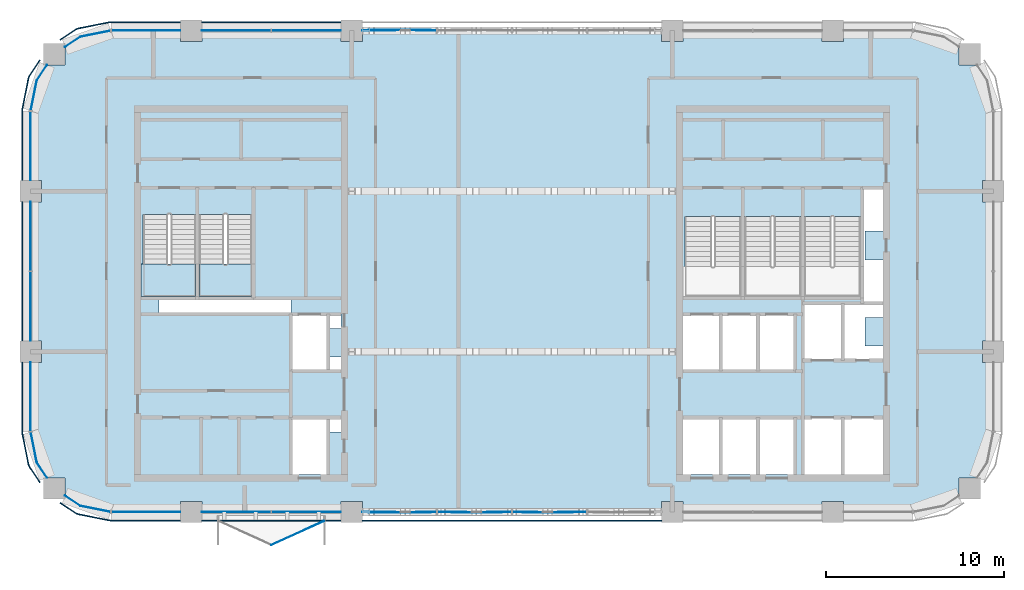
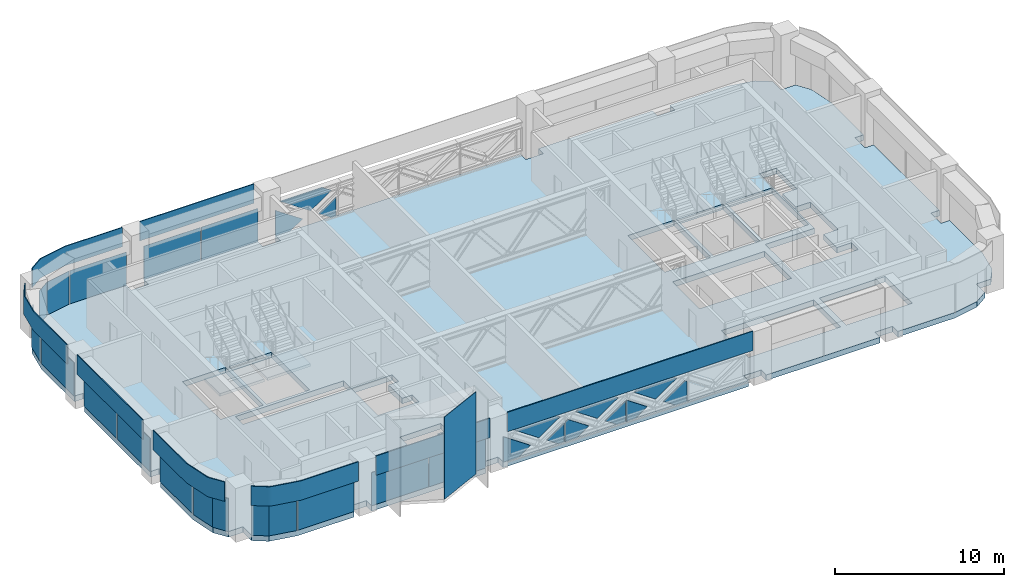
# One storey, part 6 of 14: 35 plates, 3 slabs, 11 elements without a shape of their own.
"""IFC4 building model written with IfcOpenShell, lengths in metres."""

from ifc_helpers import new_model, si_unit, direction, frame, origin, origin_2d, place, context, subcontext, project, spatial, polyline, rectangle, outline, extrude, material, layer, layer_set, type_object, element, aggregate, save


model = new_model("IFC4")

# Units and contexts
model_context = context("Model", 3, precision=1e-05, world=origin(), true_north=direction((0.0, 1.0)))
body_context = subcontext(model_context, "Body", "Model", "MODEL_VIEW")
ifc_project = project(units=[si_unit("LENGTHUNIT", "METRE"), si_unit("AREAUNIT", "SQUARE_METRE"), si_unit("VOLUMEUNIT", "CUBIC_METRE"), si_unit("PLANEANGLEUNIT", "RADIAN"), si_unit("MASSUNIT", "GRAM", prefix="KILO")], contexts=[model_context])

# Site, building, storey
site_placement = place(None, origin())
site = spatial("IfcSite", under=ifc_project, at=site_placement, CompositionType="ELEMENT")
building_placement = place(site_placement, origin())
building = spatial("IfcBuilding", under=site, at=building_placement, Name="Tessera Arch", CompositionType="ELEMENT")
storey_placement = place(building_placement, frame((0.0, 0.0, 226.699951171875)))
storey = spatial("IfcBuildingStorey", under=building, at=storey_placement, Name="L54", CompositionType="ELEMENT", Elevation=226.699951171875)

# Curtain wall, plates
ifc_material_1 = material(Name="CW1 curtain wall")
curtain_wall_type_1 = type_object("IfcCurtainWallType", Name="CW1 curtain wall", PredefinedType="NOTDEFINED", material=ifc_material_1)
curtain_wall_1_placement = place(storey_placement, origin())
curtain_wall_1 = element("IfcCurtainWall", 1, at=curtain_wall_1_placement, inside=storey, type_object=curtain_wall_type_1, Name="CW1 curtain wall N54.0/3 L54", PredefinedType="NOTDEFINED")
ifc_material_2 = material(Name="Clear low-e glass", Category="glass")
ifc_material_3 = material(Name="Clear low-e glass", Category="glass")
ifc_layer_1 = layer(ifc_material_3, 0.028076171875)
ifc_layer_set_1 = layer_set([ifc_layer_1], Name="CW1 glass panel")
plate_type_1 = type_object("IfcPlateType", Name="CW1 glass panel", PredefinedType="CURTAIN_PANEL", material=ifc_layer_set_1)
plate_1_placement = place(storey_placement, frame((15.465087890625, 54.0, 0.0), z_axis=(0.0, 0.0, 1.0), x_axis=(-1.0, 0.0, 0.0)))
plate_1 = element("IfcPlate", 2, at=plate_1_placement, type_object=plate_type_1, material=ifc_material_2, Name="CW1 glass panel N54.0/3 1.1.1", PredefinedType="CURTAIN_PANEL", context=body_context, shape_type="SweptSolid", body=[
    extrude(rectangle(XDim=3.8701171875, YDim=0.028076171875, at=origin_2d()), origin(), (0.0, 0.0, 1.0), 2.39990234375),
])
plate_2_placement = place(storey_placement, frame((11.534912109375, 54.0, 0.0), z_axis=(0.0, 0.0, 1.0), x_axis=(-1.0, 0.0, 0.0)))
plate_2 = element("IfcPlate", 3, at=plate_2_placement, type_object=plate_type_1, material=ifc_material_2, Name="CW1 glass panel N54.0/3 1.2.1", PredefinedType="CURTAIN_PANEL", context=body_context, shape_type="SweptSolid", body=[
    extrude(rectangle(XDim=3.8701171875, YDim=0.028076171875, at=origin_2d()), origin(), (0.0, 0.0, 1.0), 2.39990234375),
])

curtain_wall_2_placement = place(storey_placement, origin())
curtain_wall_2 = element("IfcCurtainWall", 4, at=curtain_wall_2_placement, inside=storey, type_object=curtain_wall_type_1, Name="CW1 curtain wall W0.27/1 L54", PredefinedType="NOTDEFINED")
plate_3_placement = place(storey_placement, frame((0.0, 42.465087890625, 0.0), z_axis=(0.0, 0.0, 1.0), x_axis=(0.0, -1.0, 0.0)))
plate_3 = element("IfcPlate", 5, at=plate_3_placement, type_object=plate_type_1, material=ifc_material_2, Name="CW1 glass panel W0.27/1 1.1.1", PredefinedType="CURTAIN_PANEL", context=body_context, shape_type="SweptSolid", body=[
    extrude(rectangle(XDim=3.8701171875, YDim=0.028076171875, at=origin_2d()), origin(), (0.0, 0.0, 1.0), 2.39990234375),
])
plate_4_placement = place(storey_placement, frame((0.0, 38.534912109375, 0.0), z_axis=(0.0, 0.0, 1.0), x_axis=(0.0, -1.0, 0.0)))
plate_4 = element("IfcPlate", 6, at=plate_4_placement, type_object=plate_type_1, material=ifc_material_2, Name="CW1 glass panel W0.27/1 1.2.1", PredefinedType="CURTAIN_PANEL", context=body_context, shape_type="SweptSolid", body=[
    extrude(rectangle(XDim=3.8701171875, YDim=0.028076171875, at=origin_2d()), origin(), (0.0, 0.0, 1.0), 2.39990234375),
])

curtain_wall_3_placement = place(storey_placement, origin())
curtain_wall_3 = element("IfcCurtainWall", 7, at=curtain_wall_3_placement, inside=storey, type_object=curtain_wall_type_1, Name="CW1 curtain wall S27.0/1 L54", PredefinedType="NOTDEFINED")
plate_5_placement = place(storey_placement, frame((11.534912109375, 27.0, 0.0), z_axis=(0.0, 0.0, 1.0), x_axis=(1.0, 0.0, 0.0)))
plate_5 = element("IfcPlate", 8, at=plate_5_placement, type_object=plate_type_1, material=ifc_material_2, Name="CW1 glass panel S27.0/1 1.1.1", PredefinedType="CURTAIN_PANEL", context=body_context, shape_type="SweptSolid", body=[
    extrude(rectangle(XDim=3.8701171875, YDim=0.028076171875, at=origin_2d()), origin(), (0.0, 0.0, 1.0), 2.39990234375),
])
plate_6_placement = place(storey_placement, frame((15.465087890625, 27.0, 0.0), z_axis=(0.0, 0.0, 1.0), x_axis=(1.0, 0.0, 0.0)))
plate_6 = element("IfcPlate", 9, at=plate_6_placement, type_object=plate_type_1, material=ifc_material_2, Name="CW1 glass panel S27.0/1 1.2.1", PredefinedType="CURTAIN_PANEL", context=body_context, shape_type="SweptSolid", body=[
    extrude(rectangle(XDim=3.8701171875, YDim=0.028076171875, at=origin_2d()), origin(), (0.0, 0.0, 1.0), 2.39990234375),
])

# Plate
ifc_material_4 = material(Name="Pale anodised aluminium panel", Category="aluminium")
ifc_layer_2 = layer(ifc_material_4, 0.06005859375)
ifc_layer_set_2 = layer_set([ifc_layer_2], Name="CW1 spandrel panel")
plate_type_2 = type_object("IfcPlateType", Name="CW1 spandrel panel", PredefinedType="CURTAIN_PANEL", material=ifc_layer_set_2)
plate_7_placement = place(storey_placement, frame((13.5, 54.47998046875, 2.5), z_axis=(0.0, 0.0, 1.0), x_axis=(-1.0, 0.0, 0.0)))
plate_7 = element("IfcPlate", 10, at=plate_7_placement, type_object=plate_type_2, Name="CW1 spandrel panel N54.0/3", PredefinedType="CURTAIN_PANEL", context=body_context, shape_type="SweptSolid", body=[
    extrude(rectangle(XDim=7.800048828125, YDim=0.06005859375, at=origin_2d()), origin(), (0.0, 0.0, 1.0), 1.39990234375),
])

aggregate(curtain_wall_1, [plate_1, plate_2, plate_7])

plate_8_placement = place(storey_placement, frame((-0.47998046875, 40.5, 2.5), z_axis=(0.0, 0.0, 1.0), x_axis=(0.0, -1.0, 0.0)))
plate_8 = element("IfcPlate", 11, at=plate_8_placement, type_object=plate_type_2, Name="CW1 spandrel panel W0.27/1", PredefinedType="CURTAIN_PANEL", context=body_context, shape_type="SweptSolid", body=[
    extrude(rectangle(XDim=7.800048828125, YDim=0.06005859375, at=origin_2d()), origin(), (0.0, 0.0, 1.0), 1.39990234375),
])

aggregate(curtain_wall_2, [plate_3, plate_4, plate_8])

plate_9_placement = place(storey_placement, frame((13.5, 26.52001953125, 2.5), z_axis=(0.0, 0.0, 1.0), x_axis=(1.0, 0.0, 0.0)))
plate_9 = element("IfcPlate", 12, at=plate_9_placement, type_object=plate_type_2, Name="CW1 spandrel panel S27.0/1", PredefinedType="CURTAIN_PANEL", context=body_context, shape_type="SweptSolid", body=[
    extrude(rectangle(XDim=7.800048828125, YDim=0.06005859375, at=origin_2d()), origin(), (0.0, 0.0, 1.0), 1.39990234375),
])

aggregate(curtain_wall_3, [plate_5, plate_6, plate_9])

# Curtain wall, plates
ifc_material_5 = material(Name="CW2 curtain wall")
curtain_wall_type_2 = type_object("IfcCurtainWallType", Name="CW2 curtain wall", PredefinedType="NOTDEFINED", material=ifc_material_5)
curtain_wall_4_placement = place(storey_placement, origin())
curtain_wall_4 = element("IfcCurtainWall", 13, at=curtain_wall_4_placement, inside=storey, type_object=curtain_wall_type_2, Name="CW2 curtain wall N54.0/4 L54", PredefinedType="NOTDEFINED")
ifc_material_6 = material(Name="Clear low-e glass", Category="glass")
ifc_layer_3 = layer(ifc_material_6, 0.028076171875)
ifc_layer_set_3 = layer_set([ifc_layer_3], Name="CW2 glass panel")
plate_type_3 = type_object("IfcPlateType", Name="CW2 glass panel", PredefinedType="CURTAIN_PANEL", material=ifc_layer_set_3)
plate_10_placement = place(storey_placement, frame((6.469970703125, 54.0, 0.0), z_axis=(0.0, 0.0, 1.0), x_axis=(-1.0, 0.0, 0.0)))
plate_10 = element("IfcPlate", 14, at=plate_10_placement, type_object=plate_type_3, material=ifc_material_2, Name="CW2 glass panel N54.0/4 1.1", PredefinedType="CURTAIN_PANEL", context=body_context, shape_type="SweptSolid", body=[
    extrude(rectangle(XDim=3.860107421875, YDim=0.028076171875, at=origin_2d()), origin(), (0.0, 0.0, 1.0), 2.39990234375),
])
plate_11_placement = place(storey_placement, origin())
plate_11 = element("IfcPlate", 15, at=plate_11_placement, type_object=plate_type_3, material=ifc_material_2, Name="CW2 curved glass panel N54.0/4 2.1", PredefinedType="CURTAIN_PANEL", context=body_context, shape_type="SweptSolid", body=[
    extrude(outline(polyline([(2.783447265625, 53.644287109375), (4.46337890625, 53.978515625), (4.4580078125, 54.005859375), (2.7724609375, 53.670654296875), (1.91015625, 53.094482421875), (1.92578125, 53.0712890625), (2.783447265625, 53.644287109375)])), origin(), (0.0, 0.0, 1.0), 2.400146484375),
])

curtain_wall_5_placement = place(storey_placement, origin())
curtain_wall_5 = element("IfcCurtainWall", 16, at=curtain_wall_5_placement, inside=storey, type_object=curtain_wall_type_2, Name="CW2 curtain wall W0.27/0 L54", PredefinedType="NOTDEFINED")
plate_12_placement = place(storey_placement, frame((0.0, 47.530029296875, 0.0), z_axis=(0.0, 0.0, 1.0), x_axis=(0.0, -1.0, 0.0)))
plate_12 = element("IfcPlate", 17, at=plate_12_placement, type_object=plate_type_3, material=ifc_material_2, Name="CW2 glass panel W0.27/0 1.1", PredefinedType="CURTAIN_PANEL", context=body_context, shape_type="SweptSolid", body=[
    extrude(rectangle(XDim=3.860107421875, YDim=0.028076171875, at=origin_2d()), origin(), (0.0, 0.0, 1.0), 2.39990234375),
])
plate_13_placement = place(storey_placement, origin())
plate_13 = element("IfcPlate", 18, at=plate_13_placement, type_object=plate_type_3, material=ifc_material_2, Name="CW2 curved glass panel W0.27/0 2.1", PredefinedType="CURTAIN_PANEL", context=body_context, shape_type="SweptSolid", body=[
    extrude(outline(polyline([(0.355712890625, 51.216552734375), (0.9287109375, 52.07421875), (0.905517578125, 52.08984375), (0.329345703125, 51.2275390625), (-0.005859375, 49.5419921875), (0.021484375, 49.53662109375), (0.355712890625, 51.216552734375)])), origin(), (0.0, 0.0, 1.0), 2.400146484375),
])

curtain_wall_6_placement = place(storey_placement, origin())
curtain_wall_6 = element("IfcCurtainWall", 19, at=curtain_wall_6_placement, inside=storey, type_object=curtain_wall_type_2, Name="CW2 curtain wall W0.27/2 L54", PredefinedType="NOTDEFINED")
plate_14_placement = place(storey_placement, frame((0.0, 33.469970703125, 0.0), z_axis=(0.0, 0.0, 1.0), x_axis=(0.0, -1.0, 0.0)))
plate_14 = element("IfcPlate", 20, at=plate_14_placement, type_object=plate_type_3, material=ifc_material_2, Name="CW2 glass panel W0.27/2 1.1", PredefinedType="CURTAIN_PANEL", context=body_context, shape_type="SweptSolid", body=[
    extrude(rectangle(XDim=3.860107421875, YDim=0.028076171875, at=origin_2d()), origin(), (0.0, 0.0, 1.0), 2.39990234375),
])
plate_15_placement = place(storey_placement, origin())
plate_15 = element("IfcPlate", 21, at=plate_15_placement, type_object=plate_type_3, material=ifc_material_2, Name="CW2 curved glass panel W0.27/2 2.1", PredefinedType="CURTAIN_PANEL", context=body_context, shape_type="SweptSolid", body=[
    extrude(outline(polyline([(0.355712890625, 29.783447265625), (0.021484375, 31.46337890625), (-0.005859375, 31.4580078125), (0.329345703125, 29.7724609375), (0.905517578125, 28.91015625), (0.9287109375, 28.92578125), (0.355712890625, 29.783447265625)])), origin(), (0.0, 0.0, 1.0), 2.400146484375),
])

curtain_wall_7_placement = place(storey_placement, origin())
curtain_wall_7 = element("IfcCurtainWall", 22, at=curtain_wall_7_placement, inside=storey, type_object=curtain_wall_type_2, Name="CW2 curtain wall S27.0/0 L54", PredefinedType="NOTDEFINED")
plate_16_placement = place(storey_placement, frame((6.469970703125, 27.0, 0.0), z_axis=(0.0, 0.0, 1.0), x_axis=(1.0, 0.0, 0.0)))
plate_16 = element("IfcPlate", 23, at=plate_16_placement, type_object=plate_type_3, material=ifc_material_2, Name="CW2 glass panel S27.0/0 1.1", PredefinedType="CURTAIN_PANEL", context=body_context, shape_type="SweptSolid", body=[
    extrude(rectangle(XDim=3.860107421875, YDim=0.028076171875, at=origin_2d()), origin(), (0.0, 0.0, 1.0), 2.39990234375),
])
plate_17_placement = place(storey_placement, origin())
plate_17 = element("IfcPlate", 24, at=plate_17_placement, type_object=plate_type_3, material=ifc_material_2, Name="CW2 curved glass panel S27.0/0 2.1", PredefinedType="CURTAIN_PANEL", context=body_context, shape_type="SweptSolid", body=[
    extrude(outline(polyline([(2.783447265625, 27.355712890625), (1.92578125, 27.9287109375), (1.91015625, 27.905517578125), (2.7724609375, 27.329345703125), (4.4580078125, 26.994140625), (4.46337890625, 27.021484375), (2.783447265625, 27.355712890625)])), origin(), (0.0, 0.0, 1.0), 2.400146484375),
])

# Plate
ifc_material_7 = material(Name="Pale anodised aluminium panel", Category="aluminium")
ifc_layer_4 = layer(ifc_material_7, 0.06005859375)
ifc_layer_set_4 = layer_set([ifc_layer_4], Name="CW2 spandrel panel")
plate_type_4 = type_object("IfcPlateType", Name="CW2 spandrel panel", PredefinedType="CURTAIN_PANEL", material=ifc_layer_set_4)
plate_18_placement = place(storey_placement, frame((0.0, 0.0, 2.5)))
plate_18 = element("IfcPlate", 25, at=plate_18_placement, type_object=plate_type_4, Name="CW2 spandrel panel N54.0/4", PredefinedType="CURTAIN_PANEL", context=body_context, shape_type="SweptSolid", body=[
    extrude(outline(polyline([(4.500732421875, 54.449951171875), (8.39990234375, 54.449951171875), (8.39990234375, 54.510009765625), (4.499267578125, 54.510009765625), (4.449951171875, 54.507568359375), (4.401123046875, 54.500244140625), (2.677734375, 54.157470703125), (2.6298828125, 54.1455078125), (2.582763671875, 54.128662109375), (2.537353515625, 54.107421875), (2.4951171875, 54.08203125), (1.634765625, 53.5068359375), (1.66796875, 53.45703125), (2.52734375, 54.03125), (2.565673828125, 54.054443359375), (2.605712890625, 54.0732421875), (2.647216796875, 54.088134765625), (2.69091796875, 54.09912109375), (4.411376953125, 54.441162109375), (4.455810546875, 54.44775390625), (4.500732421875, 54.449951171875)])), origin(), (0.0, 0.0, 1.0), 1.400146484375),
])

aggregate(curtain_wall_4, [plate_10, plate_11, plate_18])

plate_19_placement = place(storey_placement, frame((0.0, 0.0, 2.5)))
plate_19 = element("IfcPlate", 26, at=plate_19_placement, type_object=plate_type_4, Name="CW2 spandrel panel W0.27/0", PredefinedType="CURTAIN_PANEL", context=body_context, shape_type="SweptSolid", body=[
    extrude(outline(polyline([(-0.03125, 51.47265625), (0.54296875, 52.33203125), (0.4931640625, 52.365234375), (-0.08203125, 51.5048828125), (-0.107421875, 51.462646484375), (-0.128662109375, 51.417236328125), (-0.1455078125, 51.3701171875), (-0.157470703125, 51.322265625), (-0.500244140625, 49.598876953125), (-0.507568359375, 49.550048828125), (-0.510009765625, 49.500732421875), (-0.510009765625, 45.60009765625), (-0.449951171875, 45.60009765625), (-0.449951171875, 49.499267578125), (-0.44775390625, 49.544189453125), (-0.441162109375, 49.588623046875), (-0.09912109375, 51.30908203125), (-0.088134765625, 51.352783203125), (-0.0732421875, 51.394287109375), (-0.054443359375, 51.434326171875), (-0.03125, 51.47265625)])), origin(), (0.0, 0.0, 1.0), 1.400146484375),
])

aggregate(curtain_wall_5, [plate_12, plate_13, plate_19])

plate_20_placement = place(storey_placement, frame((0.0, 0.0, 2.5)))
plate_20 = element("IfcPlate", 27, at=plate_20_placement, type_object=plate_type_4, Name="CW2 spandrel panel W0.27/2", PredefinedType="CURTAIN_PANEL", context=body_context, shape_type="SweptSolid", body=[
    extrude(outline(polyline([(-0.449951171875, 31.500732421875), (-0.449951171875, 35.39990234375), (-0.510009765625, 35.39990234375), (-0.510009765625, 31.499267578125), (-0.507568359375, 31.449951171875), (-0.500244140625, 31.401123046875), (-0.157470703125, 29.677734375), (-0.1455078125, 29.6298828125), (-0.128662109375, 29.582763671875), (-0.107421875, 29.537353515625), (-0.08203125, 29.4951171875), (0.4931640625, 28.634765625), (0.54296875, 28.66796875), (-0.03125, 29.52734375), (-0.054443359375, 29.565673828125), (-0.0732421875, 29.605712890625), (-0.088134765625, 29.647216796875), (-0.09912109375, 29.69091796875), (-0.441162109375, 31.411376953125), (-0.44775390625, 31.455810546875), (-0.449951171875, 31.500732421875)])), origin(), (0.0, 0.0, 1.0), 1.400146484375),
])

aggregate(curtain_wall_6, [plate_14, plate_15, plate_20])

plate_21_placement = place(storey_placement, frame((0.0, 0.0, 2.5)))
plate_21 = element("IfcPlate", 28, at=plate_21_placement, type_object=plate_type_4, Name="CW2 spandrel panel S27.0/0", PredefinedType="CURTAIN_PANEL", context=body_context, shape_type="SweptSolid", body=[
    extrude(outline(polyline([(2.52734375, 26.96875), (1.66796875, 27.54296875), (1.634765625, 27.4931640625), (2.4951171875, 26.91796875), (2.537353515625, 26.892578125), (2.582763671875, 26.871337890625), (2.6298828125, 26.8544921875), (2.677734375, 26.842529296875), (4.401123046875, 26.499755859375), (4.449951171875, 26.492431640625), (4.499267578125, 26.489990234375), (8.39990234375, 26.489990234375), (8.39990234375, 26.550048828125), (4.500732421875, 26.550048828125), (4.455810546875, 26.55224609375), (4.411376953125, 26.558837890625), (2.69091796875, 26.90087890625), (2.647216796875, 26.911865234375), (2.605712890625, 26.9267578125), (2.565673828125, 26.945556640625), (2.52734375, 26.96875)])), origin(), (0.0, 0.0, 1.0), 1.400146484375),
])

aggregate(curtain_wall_7, [plate_16, plate_17, plate_21])

# Curtain wall, plates
ifc_material_8 = material(Name="CW4 curtain wall")
curtain_wall_type_3 = type_object("IfcCurtainWallType", Name="CW4 curtain wall", PredefinedType="NOTDEFINED", material=ifc_material_8)
curtain_wall_8_placement = place(storey_placement, origin())
curtain_wall_8 = element("IfcCurtainWall", 29, at=curtain_wall_8_placement, inside=storey, type_object=curtain_wall_type_3, Name="CW4 curtain wall N54.0/2 L54", PredefinedType="NOTDEFINED")
ifc_material_9 = material(Name="Clear low-e glass", Category="glass")
ifc_layer_5 = layer(ifc_material_9, 0.028076171875)
ifc_layer_set_5 = layer_set([ifc_layer_5], Name="CW4 glass panel")
plate_type_5 = type_object("IfcPlateType", Name="CW4 glass panel", PredefinedType="CURTAIN_PANEL", material=ifc_layer_set_5)
plate_22_placement = place(storey_placement, frame((22.760009765625, 54.013916015625, 0.0), z_axis=(0.0, 1.0, 0.0), x_axis=(-1.0, 0.0, 0.0)))
plate_22 = element("IfcPlate", 30, at=plate_22_placement, type_object=plate_type_5, material=ifc_material_2, Name="CW4 fitted glass panel N54.0/2 13", PredefinedType="CURTAIN_PANEL", context=body_context, shape_type="SweptSolid", body=[
    extrude(outline(polyline([(0.0, 0.0), (0.3623046875, 0.0), (1.199951171875, 0.570556640625), (0.0, 1.3876953125), (0.0, 0.0)])), origin(), (0.0, 0.0, -1.0), 0.028076171875),
])
plate_23_placement = place(storey_placement, frame((18.902587890625, 54.0419921875, 2.380126953125), z_axis=(0.0, 1.0, 0.0), x_axis=(1.0, 0.0, 0.0)))
plate_23 = element("IfcPlate", 31, at=plate_23_placement, type_object=plate_type_5, material=ifc_material_2, Name="CW4 fitted glass panel N54.0/2 15", PredefinedType="CURTAIN_PANEL", context=body_context, shape_type="SweptSolid", body=[
    extrude(outline(polyline([(0.0, 0.0), (2.896728515625, 0.0), (3.558349609375, 0.45068359375), (2.10986328125, 1.436767578125), (0.0, 0.0)])), origin(), (0.0, 0.0, -1.0), 0.028076171875),
])
plate_24_placement = place(storey_placement, frame((18.60009765625, 54.013916015625, 0.0), z_axis=(0.0, 1.0, 0.0), x_axis=(0.0, 0.0, 1.0)))
plate_24 = element("IfcPlate", 32, at=plate_24_placement, type_object=plate_type_5, material=ifc_material_2, Name="CW4 fitted glass panel N54.0/2 16", PredefinedType="CURTAIN_PANEL", context=body_context, shape_type="SweptSolid", body=[
    extrude(outline(polyline([(0.0, 0.0), (1.840576171875, 0.0), (0.570556640625, 1.864990234375), (0.0, 1.027099609375), (0.0, 0.0)])), origin(), (0.0, 0.0, -1.0), 0.028076171875),
])
aggregate(curtain_wall_8, [plate_22, plate_23, plate_24])

curtain_wall_9_placement = place(storey_placement, origin())
curtain_wall_9 = element("IfcCurtainWall", 33, at=curtain_wall_9_placement, inside=storey, type_object=curtain_wall_type_3, Name="CW4 curtain wall S27.0/2 L54", PredefinedType="NOTDEFINED")
plate_25_placement = place(storey_placement, frame((18.60009765625, 26.986083984375, 0.0), z_axis=(0.0, -1.0, 0.0), x_axis=(1.0, 0.0, 0.0)))
plate_25 = element("IfcPlate", 34, at=plate_25_placement, type_object=plate_type_5, material=ifc_material_2, Name="CW4 fitted glass panel S27.0/2 1", PredefinedType="CURTAIN_PANEL", context=body_context, shape_type="SweptSolid", body=[
    extrude(outline(polyline([(0.0, 0.0), (1.027099609375, 0.0), (1.864990234375, 0.570556640625), (0.0, 1.840576171875), (0.0, 0.0)])), origin(), (0.0, 0.0, -1.0), 0.028076171875),
])
plate_26_placement = place(storey_placement, frame((21.79931640625, 26.9580078125, 2.380126953125), z_axis=(0.0, -1.0, 0.0), x_axis=(-1.0, 0.0, 0.0)))
plate_26 = element("IfcPlate", 35, at=plate_26_placement, type_object=plate_type_5, material=ifc_material_2, Name="CW4 fitted glass panel S27.0/2 2", PredefinedType="CURTAIN_PANEL", context=body_context, shape_type="SweptSolid", body=[
    extrude(outline(polyline([(0.0, 0.0), (2.896728515625, 0.0), (0.786865234375, 1.436767578125), (-0.66162109375, 0.45068359375), (0.0, 0.0)])), origin(), (0.0, 0.0, -1.0), 0.028076171875),
])
plate_27_placement = place(storey_placement, frame((22.760009765625, 26.986083984375, 0.0), z_axis=(0.0, -1.0, 0.0), x_axis=(0.0, 0.0, 1.0)))
plate_27 = element("IfcPlate", 36, at=plate_27_placement, type_object=plate_type_5, material=ifc_material_2, Name="CW4 fitted glass panel S27.0/2 4", PredefinedType="CURTAIN_PANEL", context=body_context, shape_type="SweptSolid", body=[
    extrude(outline(polyline([(0.0, 0.0), (1.3876953125, 0.0), (0.570556640625, 1.199951171875), (0.0, 0.3623046875), (0.0, 0.0)])), origin(), (0.0, 0.0, -1.0), 0.028076171875),
])
plate_28_placement = place(storey_placement, frame((22.840087890625, 26.986083984375, 0.0), z_axis=(0.0, -1.0, 0.0), x_axis=(1.0, 0.0, 0.0)))
plate_28 = element("IfcPlate", 37, at=plate_28_placement, type_object=plate_type_5, material=ifc_material_2, Name="CW4 fitted glass panel S27.0/2 5", PredefinedType="CURTAIN_PANEL", context=body_context, shape_type="SweptSolid", body=[
    extrude(outline(polyline([(0.0, 0.0), (0.77880859375, 0.0), (1.61669921875, 0.570556640625), (0.168212890625, 1.556640625), (0.0, 1.442138671875), (0.0, 0.0)])), origin(), (0.0, 0.0, -1.0), 0.028076171875),
])
plate_29_placement = place(storey_placement, frame((25.791015625, 26.9580078125, 2.380126953125), z_axis=(0.0, -1.0, 0.0), x_axis=(-1.0, 0.0, 0.0)))
plate_29 = element("IfcPlate", 38, at=plate_29_placement, type_object=plate_type_5, material=ifc_material_2, Name="CW4 fitted glass panel S27.0/2 7", PredefinedType="CURTAIN_PANEL", context=body_context, shape_type="SweptSolid", body=[
    extrude(outline(polyline([(0.0, 0.0), (1.573486328125, 0.0), (2.235107421875, 0.45068359375), (0.786865234375, 1.436767578125), (-0.66162109375, 0.45068359375), (0.0, 0.0)])), origin(), (0.0, 0.0, -1.0), 0.028076171875),
])
plate_30_placement = place(storey_placement, frame((26.9599609375, 26.986083984375, 0.0), z_axis=(0.0, -1.0, 0.0), x_axis=(0.0, 0.0, 1.0)))
plate_30 = element("IfcPlate", 39, at=plate_30_placement, type_object=plate_type_5, material=ifc_material_2, Name="CW4 fitted glass panel S27.0/2 8", PredefinedType="CURTAIN_PANEL", context=body_context, shape_type="SweptSolid", body=[
    extrude(outline(polyline([(0.0, 0.0), (1.529541015625, 0.0), (0.570556640625, 1.408203125), (0.0, 0.570556640625), (0.0, 0.0)])), origin(), (0.0, 0.0, -1.0), 0.028076171875),
])
plate_31_placement = place(storey_placement, frame((27.0400390625, 26.986083984375, 0.0), z_axis=(0.0, -1.0, 0.0), x_axis=(1.0, 0.0, 0.0)))
plate_31 = element("IfcPlate", 40, at=plate_31_placement, type_object=plate_type_5, material=ifc_material_2, Name="CW4 fitted glass panel S27.0/2 9", PredefinedType="CURTAIN_PANEL", context=body_context, shape_type="SweptSolid", body=[
    extrude(outline(polyline([(0.0, 0.0), (0.570556640625, 0.0), (1.408203125, 0.570556640625), (0.0, 1.529541015625), (0.0, 0.0)])), origin(), (0.0, 0.0, -1.0), 0.028076171875),
])
plate_32_placement = place(storey_placement, frame((29.782470703125, 26.9580078125, 2.380126953125), z_axis=(0.0, -1.0, 0.0), x_axis=(-1.0, 0.0, 0.0)))
plate_32 = element("IfcPlate", 41, at=plate_32_placement, type_object=plate_type_5, material=ifc_material_2, Name="CW4 fitted glass panel S27.0/2 11", PredefinedType="CURTAIN_PANEL", context=body_context, shape_type="SweptSolid", body=[
    extrude(outline(polyline([(0.0, 0.0), (1.573486328125, 0.0), (2.235107421875, 0.45068359375), (0.78662109375, 1.436767578125), (-0.66162109375, 0.45068359375), (0.0, 0.0)])), origin(), (0.0, 0.0, -1.0), 0.028076171875),
])
plate_33_placement = place(storey_placement, frame((31.159912109375, 26.986083984375, 0.0), z_axis=(0.0, -1.0, 0.0), x_axis=(0.0, 0.0, 1.0)))
plate_33 = element("IfcPlate", 42, at=plate_33_placement, type_object=plate_type_5, material=ifc_material_2, Name="CW4 fitted glass panel S27.0/2 12", PredefinedType="CURTAIN_PANEL", context=body_context, shape_type="SweptSolid", body=[
    extrude(outline(polyline([(0.0, 0.0), (1.442138671875, 0.0), (1.556640625, 0.168212890625), (0.570556640625, 1.61669921875), (0.0, 0.77880859375), (0.0, 0.0)])), origin(), (0.0, 0.0, -1.0), 0.028076171875),
])
ifc_material_10 = material(Name="Pale anodised aluminium panel", Category="aluminium")
ifc_layer_6 = layer(ifc_material_10, 0.06005859375)
ifc_layer_set_6 = layer_set([ifc_layer_6], Name="CW4 spandrel panel")
plate_type_6 = type_object("IfcPlateType", Name="CW4 spandrel panel", PredefinedType="CURTAIN_PANEL", material=ifc_layer_set_6)
plate_34_placement = place(storey_placement, frame((27.0, 26.52001953125, 2.5), z_axis=(0.0, 0.0, 1.0), x_axis=(1.0, 0.0, 0.0)))
plate_34 = element("IfcPlate", 43, at=plate_34_placement, type_object=plate_type_6, Name="CW4 spandrel panel S27.0/2", PredefinedType="CURTAIN_PANEL", context=body_context, shape_type="SweptSolid", body=[
    extrude(rectangle(XDim=16.800048828125, YDim=0.06005859375, at=origin_2d()), origin(), (0.0, 0.0, 1.0), 1.39990234375),
])
aggregate(curtain_wall_9, [plate_25, plate_26, plate_27, plate_28, plate_29, plate_30, plate_31, plate_32, plate_33, plate_34])

# Slab
ifc_material_11 = material(Name="Concrete C40/50", Category="concrete")
ifc_layer_7 = layer(ifc_material_11, 0.39990234375)
ifc_layer_set_7 = layer_set([ifc_layer_7], Name="Floor slab 400 Concrete C40/50")
slab_type_1 = type_object("IfcSlabType", Name="Floor slab 400 Concrete C40/50", PredefinedType="FLOOR", material=ifc_layer_set_7)
slab_1_placement = place(storey_placement, frame((0.0, 0.0, -0.39990234375)))
element("IfcSlab", 44, at=slab_1_placement, inside=storey, type_object=slab_type_1, Name="Floor slab L54 1", PredefinedType="FLOOR", context=body_context, shape_type="SweptSolid", body=[
    extrude(outline(polyline([(54.0, 31.5), (53.657470703125, 29.77783203125), (53.0830078125, 28.91796875), (52.08203125, 28.91796875), (52.08203125, 27.9169921875), (51.22216796875, 27.342529296875), (49.5, 27.0), (45.60009765625, 27.0), (45.60009765625, 27.60009765625), (44.39990234375, 27.60009765625), (44.39990234375, 27.0), (36.60009765625, 27.0), (36.60009765625, 27.60009765625), (35.39990234375, 27.60009765625), (35.39990234375, 27.0), (18.60009765625, 27.0), (18.60009765625, 27.60009765625), (17.39990234375, 27.60009765625), (17.39990234375, 27.0), (9.60009765625, 27.0), (9.60009765625, 27.60009765625), (8.39990234375, 27.60009765625), (8.39990234375, 27.0), (4.5, 27.0), (2.77783203125, 27.342529296875), (1.91796875, 27.9169921875), (1.91796875, 28.91796875), (0.9169921875, 28.91796875), (0.342529296875, 29.77783203125), (0.0, 31.5), (0.0, 35.39990234375), (0.60009765625, 35.39990234375), (0.60009765625, 36.60009765625), (0.0, 36.60009765625), (0.0, 44.39990234375), (0.60009765625, 44.39990234375), (0.60009765625, 45.60009765625), (0.0, 45.60009765625), (0.0, 49.5), (0.342529296875, 51.22216796875), (0.9169921875, 52.08203125), (1.91796875, 52.08203125), (1.91796875, 53.0830078125), (2.77783203125, 53.657470703125), (4.5, 54.0), (8.39990234375, 54.0), (8.39990234375, 53.39990234375), (9.60009765625, 53.39990234375), (9.60009765625, 54.0), (17.39990234375, 54.0), (17.39990234375, 53.39990234375), (18.60009765625, 53.39990234375), (18.60009765625, 54.0), (35.39990234375, 54.0), (35.39990234375, 53.39990234375), (36.60009765625, 53.39990234375), (36.60009765625, 54.0), (44.39990234375, 54.0), (44.39990234375, 53.39990234375), (45.60009765625, 53.39990234375), (45.60009765625, 54.0), (49.5, 54.0), (51.22216796875, 53.657470703125), (52.08203125, 53.0830078125), (52.08203125, 52.08203125), (53.0830078125, 52.08203125), (53.657470703125, 51.22216796875), (54.0, 49.5), (54.0, 45.60009765625), (53.39990234375, 45.60009765625), (53.39990234375, 44.39990234375), (54.0, 44.39990234375), (54.0, 36.60009765625), (53.39990234375, 36.60009765625), (53.39990234375, 35.39990234375), (54.0, 35.39990234375), (54.0, 31.5)]), holes=[polyline([(14.60009765625, 29.10009765625), (16.699951171875, 29.10009765625), (16.699951171875, 31.5), (17.39990234375, 31.5), (17.39990234375, 32.300048828125), (16.699951171875, 32.300048828125), (14.60009765625, 32.300048828125), (14.60009765625, 29.10009765625)]), polyline([(17.39990234375, 35.699951171875), (16.699951171875, 35.699951171875), (16.699951171875, 37.300048828125), (17.39990234375, 37.300048828125), (17.39990234375, 38.10009765625), (16.699951171875, 38.10009765625), (14.60498046875, 38.10009765625), (14.60498046875, 38.10498046875), (14.60009765625, 38.10498046875), (14.60009765625, 39.0), (7.199951171875, 39.0), (7.199951171875, 38.10009765625), (14.594970703125, 38.10009765625), (14.594970703125, 38.094970703125), (14.60009765625, 38.094970703125), (14.60009765625, 34.89990234375), (16.699951171875, 34.89990234375), (17.39990234375, 34.89990234375), (17.39990234375, 35.699951171875)]), polyline([(6.300048828125, 43.68994140625), (6.300048828125, 39.199951171875), (9.25, 39.199951171875), (9.25, 43.68994140625), (7.85009765625, 43.68994140625), (7.85009765625, 43.699951171875), (7.699951171875, 43.699951171875), (7.699951171875, 43.68994140625), (6.300048828125, 43.68994140625)]), polyline([(9.449951171875, 43.68994140625), (9.449951171875, 39.199951171875), (12.39990234375, 39.199951171875), (12.39990234375, 43.68994140625), (11.0, 43.68994140625), (11.0, 43.699951171875), (10.85009765625, 43.699951171875), (10.85009765625, 43.68994140625), (9.449951171875, 43.68994140625)]), polyline([(36.60009765625, 29.10009765625), (38.699951171875, 29.10009765625), (40.800048828125, 29.10009765625), (42.89990234375, 29.10009765625), (42.89990234375, 32.300048828125), (40.800048828125, 32.300048828125), (38.699951171875, 32.300048828125), (36.60009765625, 32.300048828125), (36.60009765625, 29.10009765625)]), polyline([(47.800048828125, 32.300048828125), (45.550048828125, 32.300048828125), (43.300048828125, 32.300048828125), (43.300048828125, 29.10009765625), (45.550048828125, 29.10009765625), (47.800048828125, 29.10009765625), (47.800048828125, 32.300048828125)]), polyline([(42.89990234375, 34.89990234375), (42.89990234375, 38.10009765625), (40.800048828125, 38.10009765625), (38.699951171875, 38.10009765625), (36.60009765625, 38.10009765625), (36.60009765625, 34.89990234375), (38.699951171875, 34.89990234375), (40.800048828125, 34.89990234375), (42.89990234375, 34.89990234375)]), polyline([(47.800048828125, 41.14990234375), (46.800048828125, 41.14990234375), (46.800048828125, 42.75), (47.800048828125, 42.75), (47.800048828125, 45.199951171875), (46.64990234375, 45.199951171875), (46.64990234375, 38.699951171875), (45.550048828125, 38.699951171875), (43.300048828125, 38.699951171875), (43.300048828125, 35.5), (45.550048828125, 35.5), (47.800048828125, 35.5), (47.800048828125, 36.300048828125), (46.800048828125, 36.300048828125), (46.800048828125, 37.89990234375), (47.800048828125, 37.89990234375), (47.800048828125, 38.699951171875), (47.800048828125, 41.14990234375)]), polyline([(36.699951171875, 43.570068359375), (36.699951171875, 39.199951171875), (39.85009765625, 39.199951171875), (39.85009765625, 43.570068359375), (38.330078125, 43.570068359375), (38.330078125, 43.580078125), (38.219970703125, 43.580078125), (38.219970703125, 43.570068359375), (36.699951171875, 43.570068359375)]), polyline([(40.050048828125, 39.199951171875), (43.199951171875, 39.199951171875), (43.199951171875, 43.570068359375), (41.679931640625, 43.570068359375), (41.679931640625, 43.580078125), (41.570068359375, 43.580078125), (41.570068359375, 43.570068359375), (40.050048828125, 43.570068359375), (40.050048828125, 39.199951171875)]), polyline([(43.39990234375, 43.570068359375), (43.39990234375, 39.199951171875), (46.550048828125, 39.199951171875), (46.550048828125, 43.570068359375), (45.030029296875, 43.570068359375), (45.030029296875, 43.580078125), (44.919921875, 43.580078125), (44.919921875, 43.570068359375), (43.39990234375, 43.570068359375)])]), origin(), (0.0, 0.0, 1.0), 0.39990234375),
])

# Stair, slab
ifc_material_12 = material(Name="Concrete C40/50", Category="concrete")
stair_type = type_object("IfcStairType", Name="Dogleg stair 1400", PredefinedType="HALF_TURN_STAIR", material=ifc_material_12)
stair_1_placement = place(storey_placement, origin())
stair_1 = element("IfcStair", 45, at=stair_1_placement, inside=storey, type_object=stair_type, Name="L54 S2a", PredefinedType="HALF_TURN_STAIR")
ifc_material_13 = material(Name="Concrete C40/50", Category="concrete")
ifc_layer_8 = layer(ifc_material_13, 0.300048828125)
ifc_layer_set_8 = layer_set([ifc_layer_8], Name="Stair landing 300")
slab_type_2 = type_object("IfcSlabType", Name="Stair landing 300", PredefinedType="LANDING", material=ifc_layer_set_8)
slab_2_placement = place(storey_placement, frame((0.0, 0.0, 1.75)))
slab_2 = element("IfcSlab", 46, at=slab_2_placement, type_object=slab_type_2, Name="S2a landing 1", PredefinedType="LANDING", context=body_context, shape_type="SweptSolid", body=[
    extrude(outline(polyline([(6.199951171875, 40.89990234375), (6.199951171875, 39.10009765625), (9.25, 39.10009765625), (9.25, 40.89990234375), (6.199951171875, 40.89990234375)])), origin(), (0.0, 0.0, 1.0), 0.199951171875),
])
aggregate(stair_1, [slab_2])

stair_2_placement = place(storey_placement, origin())
stair_2 = element("IfcStair", 47, at=stair_2_placement, inside=storey, type_object=stair_type, Name="L54 S2b", PredefinedType="HALF_TURN_STAIR")
slab_3_placement = place(storey_placement, frame((0.0, 0.0, 1.75)))
slab_3 = element("IfcSlab", 48, at=slab_3_placement, type_object=slab_type_2, Name="S2b landing 1", PredefinedType="LANDING", context=body_context, shape_type="SweptSolid", body=[
    extrude(outline(polyline([(9.449951171875, 40.89990234375), (9.449951171875, 39.10009765625), (12.39990234375, 39.10009765625), (12.39990234375, 40.89990234375), (9.449951171875, 40.89990234375)])), origin(), (0.0, 0.0, 1.0), 0.199951171875),
])
aggregate(stair_2, [slab_3])

# Plate
ifc_material_14 = material(Name="Clear low-e glass", Category="glass")
ifc_layer_9 = layer(ifc_material_14, 0.028076171875)
ifc_layer_set_9 = layer_set([ifc_layer_9], Name="Window box glass facet")
plate_type_7 = type_object("IfcPlateType", Name="Window box glass facet", PredefinedType="SHEET", material=ifc_layer_set_9)
plate_35_placement = place(storey_placement, frame((14.97509765625, 25.820068359375, 0.22021484375), z_axis=(0.0, 0.0, 1.0), x_axis=(-0.910472144558, -0.413570397858, 0.0)))
element("IfcPlate", 49, at=plate_35_placement, inside=storey, type_object=plate_type_7, Name="Window box S27.0/1.0 2x2 glass", PredefinedType="SHEET", context=body_context, shape_type="SweptSolid", body=[
    extrude(rectangle(XDim=3.239990234375, YDim=0.028076171875, at=origin_2d()), origin(), (0.0, 0.0, 1.0), 5.949951171875),
])

save(model, "model.ifc")
